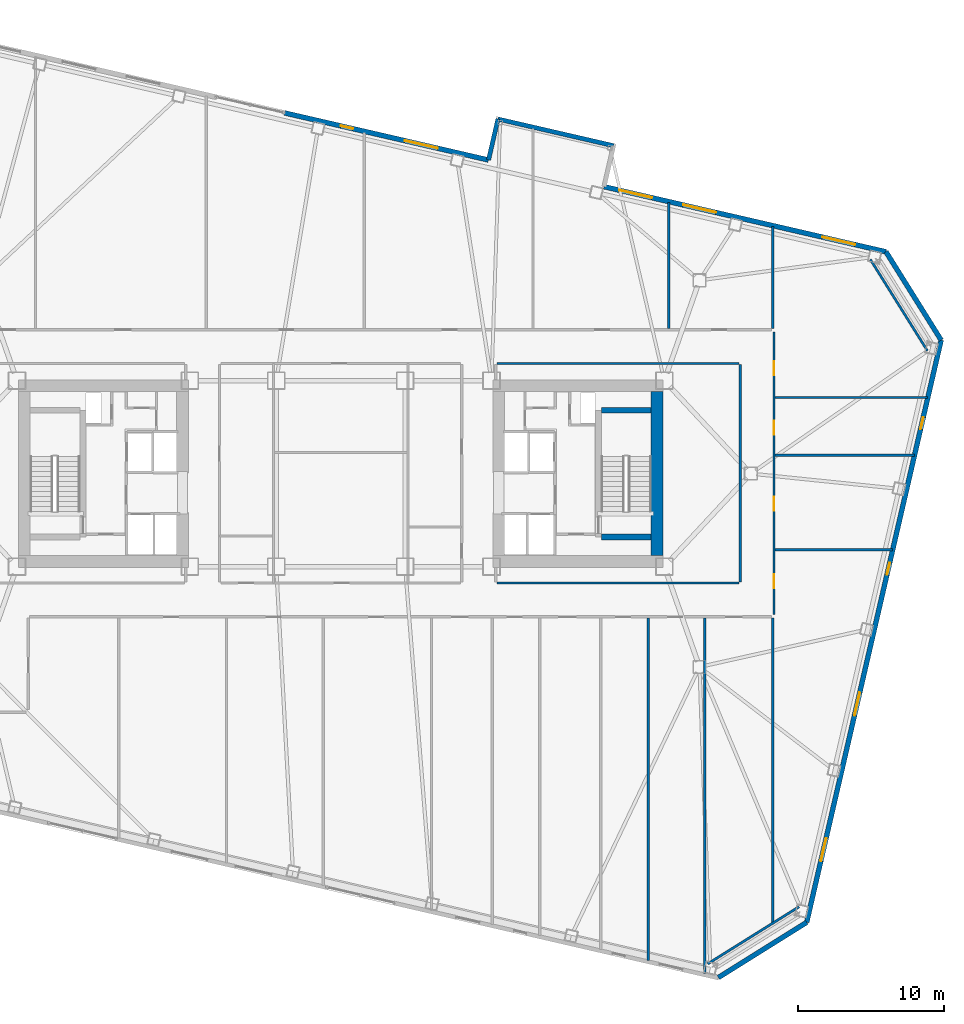
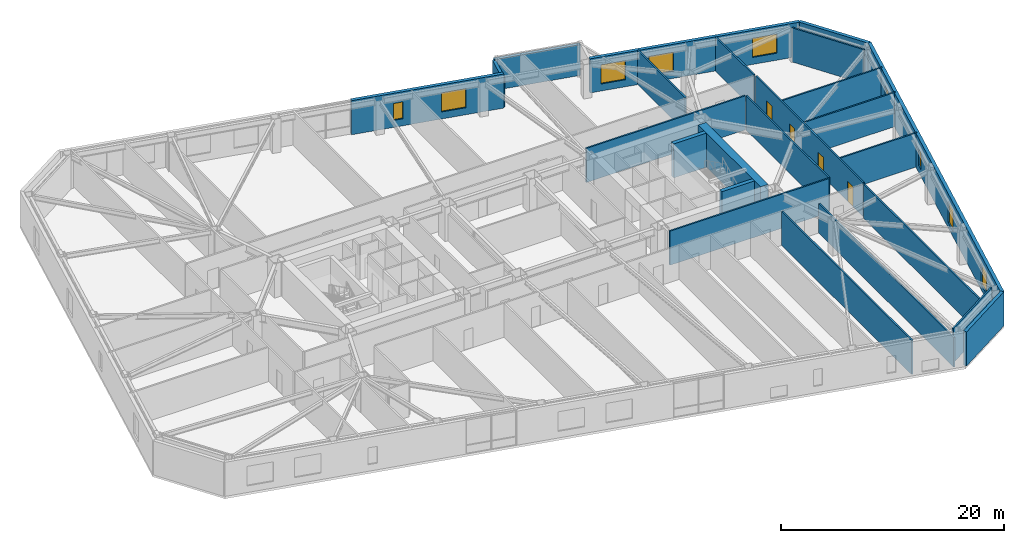
# One storey, part 15 of 21: 24 walls, 9 windows, 4 doors, 13 openings.
"""IFC4 building model written with IfcOpenShell, lengths in metres."""

from ifc_helpers import new_model, si_unit, direction, frame, frame_2d, origin, place, context, subcontext, project, spatial, rectangle, extrude, material, layer, layer_set, type_object, element, fill, save


model = new_model("IFC4")

# Units and contexts
model_context = context("Model", 3, precision=1e-05, world=origin(), true_north=direction((0.0, 1.0)))
body_context = subcontext(model_context, "Body", "Model", "MODEL_VIEW")
ifc_project = project(units=[si_unit("LENGTHUNIT", "METRE"), si_unit("AREAUNIT", "SQUARE_METRE"), si_unit("VOLUMEUNIT", "CUBIC_METRE"), si_unit("PLANEANGLEUNIT", "RADIAN"), si_unit("MASSUNIT", "GRAM", prefix="KILO")], contexts=[model_context])

# Site, building, storey
site_placement = place(None, origin())
site = spatial("IfcSite", under=ifc_project, at=site_placement, CompositionType="ELEMENT")
building_placement = place(site_placement, origin())
building = spatial("IfcBuilding", under=site, at=building_placement, Name="Tavrogorsk Clinical Tower", CompositionType="ELEMENT")
storey_placement = place(building_placement, frame((0.0, 0.0, 71.39990234375)))
storey = spatial("IfcBuildingStorey", under=building, at=storey_placement, Name="L15", CompositionType="ELEMENT", Elevation=71.39990234375)

# Walls
ifc_material_1 = material(Name="Lightweight concrete blockwork B15", Category="masonry")
ifc_layer_1 = layer(ifc_material_1, 0.159912109375)
ifc_layer_set_1 = layer_set([ifc_layer_1], Name="Lightweight concrete blockwork B15")
wall_type_1 = type_object("IfcWallType", Name="PartitionWall_160", PredefinedType="PARTITIONING", material=ifc_layer_set_1)
for number, where, z_axis, x_axis, name in (
    (1, (25.0595703125, -33.46826171875, 0.0), (0.0, 0.0, 1.0), (0.848043064089, 0.529927317139, 0.0), "L15 Corner Exoskeleton Brace Furring Wall 1"),
    (2, (40.059814453125, 8.389404296875, 0.0), (0.0, 0.0, 1.0), (-0.529927317139, 0.848043064089, 0.0), "L15 Corner Exoskeleton Brace Furring Wall 2"),
):
    element("IfcWall", number, at=place(storey_placement, frame(where, z_axis=z_axis, x_axis=x_axis)), inside=storey, type_object=wall_type_1, Name=name, PredefinedType="PARTITIONING", context=body_context, shape_type="SweptSolid", body=[
        extrude(rectangle(XDim=7.353759765625, YDim=0.159912109375, at=frame_2d((3.6767578125, 0.0))), origin(), (0.0, 0.0, 1.0), 3.739990234375),
    ])

# Wall, openings, doors
wall_1_placement = place(storey_placement, frame((29.580078125, 9.6650390625, 0.0), z_axis=(0.0, 0.0, 1.0), x_axis=(0.0, -1.0, 0.0)))
wall_1 = element("IfcWall", 3, at=wall_1_placement, inside=storey, type_object=wall_type_1, Name="L15 Corridor Partition 04", PredefinedType="PARTITIONING", context=body_context, shape_type="SweptSolid", body=[
    extrude(rectangle(XDim=19.280029296875, YDim=0.159912109375, at=frame_2d((9.64013671875, 0.0))), origin(), (0.0, 0.0, 1.0), 3.739990234375),
])
opening_1_placement = place(wall_1_placement, frame((16.531005859375, 0.0, 0.0)))
opening_1 = element("IfcOpeningElement", 4, at=opening_1_placement, cuts=wall_1, Name="Opening ID-02", PredefinedType="OPENING", context=body_context, shape_type="SweptSolid", body=[
    extrude(rectangle(XDim=0.949951171875, YDim=2.199951171875, at=frame_2d((0.47509765625, 1.10009765625))), frame((0.0, 0.08984375, 0.0), z_axis=(0.0, -1.0, 0.0), x_axis=(1.0, 0.0, 0.0)), (0.0, 0.0, 1.0), 0.179931640625),
])
opening_2_placement = place(wall_1_placement, frame((11.25, 0.0, 0.0)))
opening_2 = element("IfcOpeningElement", 5, at=opening_2_placement, cuts=wall_1, Name="Opening ID-02", PredefinedType="OPENING", context=body_context, shape_type="SweptSolid", body=[
    extrude(rectangle(XDim=0.949951171875, YDim=2.199951171875, at=frame_2d((0.47509765625, 1.10009765625))), frame((0.0, 0.08984375, 0.0), z_axis=(0.0, -1.0, 0.0), x_axis=(1.0, 0.0, 0.0)), (0.0, 0.0, 1.0), 0.179931640625),
])
opening_3_placement = place(wall_1_placement, frame((6.050048828125, 0.0, 0.0)))
opening_3 = element("IfcOpeningElement", 6, at=opening_3_placement, cuts=wall_1, Name="Opening ID-02", PredefinedType="OPENING", context=body_context, shape_type="SweptSolid", body=[
    extrude(rectangle(XDim=0.949951171875, YDim=2.199951171875, at=frame_2d((0.47509765625, 1.10009765625))), frame((0.0, 0.08984375, 0.0), z_axis=(0.0, -1.0, 0.0), x_axis=(1.0, 0.0, 0.0)), (0.0, 0.0, 1.0), 0.179931640625),
])
opening_4_placement = place(wall_1_placement, frame((1.994140625, 0.0, 0.0)))
opening_4 = element("IfcOpeningElement", 7, at=opening_4_placement, cuts=wall_1, Name="Opening ID-02", PredefinedType="OPENING", context=body_context, shape_type="SweptSolid", body=[
    extrude(rectangle(XDim=0.949951171875, YDim=2.199951171875, at=frame_2d((0.47509765625, 1.10009765625))), frame((0.0, 0.08984375, 0.0), z_axis=(0.0, -1.0, 0.0), x_axis=(1.0, 0.0, 0.0)), (0.0, 0.0, 1.0), 0.179931640625),
])
ifc_material_2 = material(Name="Laminated timber leaf on aluminium frame", Category="wood")
door_type = type_object("IfcDoorType", Name="InteriorDoor_ID02_950", OperationType="NOTDEFINED", PredefinedType="DOOR", material=ifc_material_2)
door_1_placement = place(opening_1_placement, origin())
door_1 = element("IfcDoor", 8, at=door_1_placement, inside=storey, type_object=door_type, Name="L15 E Senior Clinician Suite 1 Door", OperationType="SINGLE_SWING_LEFT", OverallHeight=2.199951171875, OverallWidth=0.949951171875, PredefinedType="DOOR", context=body_context, shape_type="SweptSolid", body=[
    extrude(rectangle(XDim=0.949951171875, YDim=2.199951171875, at=frame_2d((0.47509765625, 1.10009765625))), frame((0.0, 0.02490234375, 0.0), z_axis=(0.0, -1.0, 0.0), x_axis=(1.0, 0.0, 0.0)), (0.0, 0.0, 1.0), 0.050048828125),
])
fill(opening_1, door_1)
door_2_placement = place(opening_2_placement, origin())
door_2 = element("IfcDoor", 9, at=door_2_placement, inside=storey, type_object=door_type, Name="L15 E Multidisciplinary Seminar Suite 2 Door", OperationType="SINGLE_SWING_RIGHT", OverallHeight=2.199951171875, OverallWidth=0.949951171875, PredefinedType="DOOR", context=body_context, shape_type="SweptSolid", body=[
    extrude(rectangle(XDim=0.949951171875, YDim=2.199951171875, at=frame_2d((0.47509765625, 1.10009765625))), frame((0.0, 0.02490234375, 0.0), z_axis=(0.0, -1.0, 0.0), x_axis=(1.0, 0.0, 0.0)), (0.0, 0.0, 1.0), 0.050048828125),
])
fill(opening_2, door_2)
door_3_placement = place(opening_3_placement, origin())
door_3 = element("IfcDoor", 10, at=door_3_placement, inside=storey, type_object=door_type, Name="L15 E Specialist Consultation Room 3 Door", OperationType="SINGLE_SWING_LEFT", OverallHeight=2.199951171875, OverallWidth=0.949951171875, PredefinedType="DOOR", context=body_context, shape_type="SweptSolid", body=[
    extrude(rectangle(XDim=0.949951171875, YDim=2.199951171875, at=frame_2d((0.47509765625, 1.10009765625))), frame((0.0, 0.02490234375, 0.0), z_axis=(0.0, -1.0, 0.0), x_axis=(1.0, 0.0, 0.0)), (0.0, 0.0, 1.0), 0.050048828125),
])
fill(opening_3, door_3)
door_4_placement = place(opening_4_placement, origin())
door_4 = element("IfcDoor", 11, at=door_4_placement, inside=storey, type_object=door_type, Name="L15 E Clinical Fellows' Study 4 Door", OperationType="SINGLE_SWING_RIGHT", OverallHeight=2.199951171875, OverallWidth=0.949951171875, PredefinedType="DOOR", context=body_context, shape_type="SweptSolid", body=[
    extrude(rectangle(XDim=0.949951171875, YDim=2.199951171875, at=frame_2d((0.47509765625, 1.10009765625))), frame((0.0, 0.02490234375, 0.0), z_axis=(0.0, -1.0, 0.0), x_axis=(1.0, 0.0, 0.0)), (0.0, 0.0, 1.0), 0.050048828125),
])
fill(opening_4, door_4)

# Walls
for number, where, z_axis, x_axis, name in (
    (12, (27.18505859375, 7.52001953125, 0.0), (0.0, 0.0, 1.0), (-1.0, 0.0, 0.0), "L15 Corridor Partition 09"),
    (13, (10.6650390625, -7.469970703125, 0.0), (0.0, 0.0, 1.0), (1.0, 0.0, 0.0), "L15 Corridor Partition 12"),
):
    element("IfcWall", number, at=place(storey_placement, frame(where, z_axis=z_axis, x_axis=x_axis)), inside=storey, type_object=wall_type_1, Name=name, PredefinedType="PARTITIONING", context=body_context, shape_type="SweptSolid", body=[
        extrude(rectangle(XDim=16.52001953125, YDim=0.159912109375, at=frame_2d((8.260009765625, 0.0))), origin(), (0.0, 0.0, 1.0), 3.739990234375),
    ])
wall_2_placement = place(storey_placement, frame((27.27001953125, -7.385009765625, 0.0), z_axis=(0.0, 0.0, 1.0), x_axis=(0.0, 1.0, 0.0)))
element("IfcWall", 14, at=wall_2_placement, inside=storey, type_object=wall_type_1, Name="L15 Corridor Partition 13", PredefinedType="PARTITIONING", context=body_context, shape_type="SweptSolid", body=[
    extrude(rectangle(XDim=14.820068359375, YDim=0.159912109375, at=frame_2d((7.41015625, 0.0))), origin(), (0.0, 0.0, 1.0), 3.739990234375),
])
wall_3_placement = place(storey_placement, frame((29.5, 9.9150390625, 0.0), z_axis=(0.0, 0.0, 1.0), x_axis=(0.0, 1.0, 0.0)))
element("IfcWall", 15, at=wall_3_placement, inside=storey, type_object=wall_type_1, Name="L15 NE Wing Closure Partition", PredefinedType="PARTITIONING", context=body_context, shape_type="SweptSolid", body=[
    extrude(rectangle(XDim=6.947265625, YDim=0.159912109375, at=frame_2d((3.4736328125, 0.0))), origin(), (0.0, 0.0, 1.0), 3.739990234375),
])
wall_4_placement = place(storey_placement, frame((29.5, -30.702880859375, 0.0), z_axis=(0.0, 0.0, 1.0), x_axis=(0.0, 1.0, 0.0)))
element("IfcWall", 16, at=wall_4_placement, inside=storey, type_object=wall_type_1, Name="L15 SE Wing Closure Partition", PredefinedType="PARTITIONING", context=body_context, shape_type="SweptSolid", body=[
    extrude(rectangle(XDim=20.837890625, YDim=0.159912109375, at=frame_2d((10.4189453125, 0.0))), origin(), (0.0, 0.0, 1.0), 3.739990234375),
])
wall_5_placement = place(storey_placement, frame((22.39990234375, 9.9150390625, 0.0), z_axis=(0.0, 0.0, 1.0), x_axis=(0.0, 1.0, 0.0)))
element("IfcWall", 17, at=wall_5_placement, inside=storey, type_object=wall_type_1, Name="L15 North Room Partition 3", PredefinedType="PARTITIONING", context=body_context, shape_type="SweptSolid", body=[
    extrude(rectangle(XDim=8.58642578125, YDim=0.159912109375, at=frame_2d((4.293212890625, 0.0))), origin(), (0.0, 0.0, 1.0), 3.739990234375),
])
wall_6_placement = place(storey_placement, frame((21.0, -33.2294921875, 0.0), z_axis=(0.0, 0.0, 1.0), x_axis=(0.0, 1.0, 0.0)))
element("IfcWall", 18, at=wall_6_placement, inside=storey, type_object=wall_type_1, Name="L15 South Room Partition 7", PredefinedType="PARTITIONING", context=body_context, shape_type="SweptSolid", body=[
    extrude(rectangle(XDim=23.364501953125, YDim=0.159912109375, at=frame_2d((11.68212890625, 0.0))), origin(), (0.0, 0.0, 1.0), 3.739990234375),
])
wall_7_placement = place(storey_placement, frame((24.85009765625, -34.1181640625, 0.0), z_axis=(0.0, 0.0, 1.0), x_axis=(0.0, 1.0, 0.0)))
element("IfcWall", 19, at=wall_7_placement, inside=storey, type_object=wall_type_1, Name="L15 South Room Partition 8", PredefinedType="PARTITIONING", context=body_context, shape_type="SweptSolid", body=[
    extrude(rectangle(XDim=24.253173828125, YDim=0.159912109375, at=frame_2d((12.12646484375, 0.0))), origin(), (0.0, 0.0, 1.0), 3.235107421875),
])
wall_8_placement = place(storey_placement, frame((29.6650390625, -5.199951171875, 0.0), z_axis=(0.0, 0.0, 1.0), x_axis=(1.0, 0.0, 0.0)))
element("IfcWall", 20, at=wall_8_placement, inside=storey, type_object=wall_type_1, Name="L15 E Wing Divider 1", PredefinedType="PARTITIONING", context=body_context, shape_type="SweptSolid", body=[
    extrude(rectangle(XDim=8.007080078125, YDim=0.159912109375, at=frame_2d((4.00341796875, 0.0))), origin(), (0.0, 0.0, 1.0), 3.739990234375),
])
wall_9_placement = place(storey_placement, frame((29.6650390625, 1.25, 0.0), z_axis=(0.0, 0.0, 1.0), x_axis=(1.0, 0.0, 0.0)))
element("IfcWall", 21, at=wall_9_placement, inside=storey, type_object=wall_type_1, Name="L15 E Wing Divider 2", PredefinedType="PARTITIONING", context=body_context, shape_type="SweptSolid", body=[
    extrude(rectangle(XDim=9.496337890625, YDim=0.159912109375, at=frame_2d((4.748046875, 0.0))), origin(), (0.0, 0.0, 1.0), 3.739990234375),
])
wall_10_placement = place(storey_placement, frame((29.6650390625, 5.199951171875, 0.0), z_axis=(0.0, 0.0, 1.0), x_axis=(1.0, 0.0, 0.0)))
element("IfcWall", 22, at=wall_10_placement, inside=storey, type_object=wall_type_1, Name="L15 E Wing Divider 3", PredefinedType="PARTITIONING", context=body_context, shape_type="SweptSolid", body=[
    extrude(rectangle(XDim=10.408203125, YDim=0.159912109375, at=frame_2d((5.2041015625, 0.0))), origin(), (0.0, 0.0, 1.0), 3.739990234375),
])

# Wall, openings, windows
ifc_material_3 = material(Name="Precast concrete B45 with limestone cladding", Category="masonry")
ifc_layer_2 = layer(ifc_material_3, 0.340087890625)
ifc_layer_set_2 = layer_set([ifc_layer_2], Name="Precast concrete B45 with limestone cladding")
wall_type_2 = type_object("IfcWallType", Name="PrecastLimestoneWall_340", PredefinedType="STANDARD", material=ifc_layer_set_2)
wall_11_placement = place(storey_placement, frame((37.228515625, 15.14990234375, 0.0), z_axis=(0.0, 0.0, 1.0), x_axis=(-0.974368689865, 0.224957009695, 0.0)))
wall_11 = element("IfcWall", 23, at=wall_11_placement, inside=storey, type_object=wall_type_2, Name="L15 N Limestone Facade Wall 1", PredefinedType="STANDARD", context=body_context, shape_type="SweptSolid", body=[
    extrude(rectangle(XDim=19.749755859375, YDim=0.340087890625, at=frame_2d((9.875, 0.0))), origin(), (0.0, 0.0, 1.0), 3.739990234375),
])
opening_5_placement = place(wall_11_placement, frame((16.39501953125, 0.0, 0.77001953125)))
opening_5 = element("IfcOpeningElement", 24, at=opening_5_placement, cuts=wall_11, Name="Opening WN-12", PredefinedType="OPENING", context=body_context, shape_type="SweptSolid", body=[
    extrude(rectangle(XDim=2.300048828125, YDim=2.10009765625, at=frame_2d((1.14990234375, 1.050048828125))), frame((0.0, 0.179931640625, 0.0), z_axis=(0.0, -1.0, 0.0), x_axis=(1.0, 0.0, 0.0)), (0.0, 0.0, 1.0), 0.360107421875),
])
opening_6_placement = place(wall_11_placement, frame((11.91064453125, 0.0, 0.77001953125)))
opening_6 = element("IfcOpeningElement", 25, at=opening_6_placement, cuts=wall_11, Name="Opening WN-12", PredefinedType="OPENING", context=body_context, shape_type="SweptSolid", body=[
    extrude(rectangle(XDim=2.300048828125, YDim=2.10009765625, at=frame_2d((1.14990234375, 1.050048828125))), frame((0.0, 0.179931640625, 0.0), z_axis=(0.0, -1.0, 0.0), x_axis=(1.0, 0.0, 0.0)), (0.0, 0.0, 1.0), 0.360107421875),
])
opening_7_placement = place(wall_11_placement, frame((2.162109375, 0.0, 0.77001953125)))
opening_7 = element("IfcOpeningElement", 26, at=opening_7_placement, cuts=wall_11, Name="Opening WN-12", PredefinedType="OPENING", context=body_context, shape_type="SweptSolid", body=[
    extrude(rectangle(XDim=2.300048828125, YDim=2.10009765625, at=frame_2d((1.14990234375, 1.050048828125))), frame((0.0, 0.179931640625, 0.0), z_axis=(0.0, -1.0, 0.0), x_axis=(1.0, 0.0, 0.0)), (0.0, 0.0, 1.0), 0.360107421875),
])
ifc_material_4 = material(Name="Thermally broken aluminium frame and triple IGU", Category="aluminium")
window_type_1 = type_object("IfcWindowType", Name="RecoveryWin_2300x2100", PartitioningType="DOUBLE_PANEL_VERTICAL", PredefinedType="WINDOW", material=ifc_material_4)
window_1_placement = place(opening_5_placement, origin())
window_1 = element("IfcWindow", 27, at=window_1_placement, inside=storey, type_object=window_type_1, Name="L15 N Chicago Window 07", OverallHeight=2.10009765625, OverallWidth=2.300048828125, PartitioningType="SINGLE_PANEL", PredefinedType="WINDOW", context=body_context, shape_type="SweptSolid", body=[
    extrude(rectangle(XDim=2.300048828125, YDim=2.10009765625, at=frame_2d((1.14990234375, 1.050048828125))), frame((0.0, 0.030029296875, 0.0), z_axis=(0.0, -1.0, 0.0), x_axis=(1.0, 0.0, 0.0)), (0.0, 0.0, 1.0), 0.06005859375),
])
fill(opening_5, window_1)
window_2_placement = place(opening_6_placement, origin())
window_2 = element("IfcWindow", 28, at=window_2_placement, inside=storey, type_object=window_type_1, Name="L15 N Chicago Window 08", OverallHeight=2.10009765625, OverallWidth=2.300048828125, PartitioningType="SINGLE_PANEL", PredefinedType="WINDOW", context=body_context, shape_type="SweptSolid", body=[
    extrude(rectangle(XDim=2.300048828125, YDim=2.10009765625, at=frame_2d((1.14990234375, 1.050048828125))), frame((0.0, 0.030029296875, 0.0), z_axis=(0.0, -1.0, 0.0), x_axis=(1.0, 0.0, 0.0)), (0.0, 0.0, 1.0), 0.06005859375),
])
fill(opening_6, window_2)
window_3_placement = place(opening_7_placement, origin())
window_3 = element("IfcWindow", 29, at=window_3_placement, inside=storey, type_object=window_type_1, Name="L15 N Chicago Window 10", OverallHeight=2.10009765625, OverallWidth=2.300048828125, PartitioningType="SINGLE_PANEL", PredefinedType="WINDOW", context=body_context, shape_type="SweptSolid", body=[
    extrude(rectangle(XDim=2.300048828125, YDim=2.10009765625, at=frame_2d((1.14990234375, 1.050048828125))), frame((0.0, 0.030029296875, 0.0), z_axis=(0.0, -1.0, 0.0), x_axis=(1.0, 0.0, 0.0)), (0.0, 0.0, 1.0), 0.06005859375),
])
fill(opening_7, window_3)

wall_12_placement = place(storey_placement, frame((10.09228515625, 21.414794921875, 0.0), z_axis=(0.0, 0.0, 1.0), x_axis=(-0.97436816851, 0.224959267855, 0.0)))
wall_12 = element("IfcWall", 30, at=wall_12_placement, inside=storey, type_object=wall_type_2, Name="L15 N Limestone Facade Wall 2", PredefinedType="STANDARD", context=body_context, shape_type="SweptSolid", body=[
    extrude(rectangle(XDim=14.29833984375, YDim=0.340087890625, at=frame_2d((7.149169921875, 0.0))), origin(), (0.0, 0.0, 1.0), 3.739990234375),
])
opening_8_placement = place(wall_12_placement, frame((9.4921875, 0.0, 0.77001953125)))
opening_8 = element("IfcOpeningElement", 31, at=opening_8_placement, cuts=wall_12, Name="Opening WN-06", PredefinedType="OPENING", context=body_context, shape_type="SweptSolid", body=[
    extrude(rectangle(XDim=0.85009765625, YDim=1.85009765625, at=frame_2d((0.425048828125, 0.925048828125))), frame((0.0, 0.179931640625, 0.0), z_axis=(0.0, -1.0, 0.0), x_axis=(1.0, 0.0, 0.0)), (0.0, 0.0, 1.0), 0.360107421875),
])
opening_9_placement = place(wall_12_placement, frame((3.557861328125, 0.0, 0.77001953125)))
opening_9 = element("IfcOpeningElement", 32, at=opening_9_placement, cuts=wall_12, Name="Opening WN-12", PredefinedType="OPENING", context=body_context, shape_type="SweptSolid", body=[
    extrude(rectangle(XDim=2.300048828125, YDim=2.10009765625, at=frame_2d((1.14990234375, 1.050048828125))), frame((0.0, 0.179931640625, 0.0), z_axis=(0.0, -1.0, 0.0), x_axis=(1.0, 0.0, 0.0)), (0.0, 0.0, 1.0), 0.360107421875),
])
ifc_material_5 = material(Name="Thermally broken aluminium frame and triple IGU", Category="aluminium")
window_type_2 = type_object("IfcWindowType", Name="MullionSubWin_850x1850", PartitioningType="SINGLE_PANEL", PredefinedType="WINDOW", material=ifc_material_5)
window_4_placement = place(opening_8_placement, origin())
window_4 = element("IfcWindow", 33, at=window_4_placement, inside=storey, type_object=window_type_2, Name="L15 N Mullion Split Window 05B", OverallHeight=1.85009765625, OverallWidth=0.85009765625, PartitioningType="SINGLE_PANEL", PredefinedType="WINDOW", context=body_context, shape_type="SweptSolid", body=[
    extrude(rectangle(XDim=0.85009765625, YDim=1.85009765625, at=frame_2d((0.425048828125, 0.925048828125))), frame((0.0, 0.030029296875, 0.0), z_axis=(0.0, -1.0, 0.0), x_axis=(1.0, 0.0, 0.0)), (0.0, 0.0, 1.0), 0.06005859375),
])
fill(opening_8, window_4)
window_5_placement = place(opening_9_placement, origin())
window_5 = element("IfcWindow", 34, at=window_5_placement, inside=storey, type_object=window_type_1, Name="L15 N Chicago Window 06", OverallHeight=2.10009765625, OverallWidth=2.300048828125, PartitioningType="SINGLE_PANEL", PredefinedType="WINDOW", context=body_context, shape_type="SweptSolid", body=[
    extrude(rectangle(XDim=2.300048828125, YDim=2.10009765625, at=frame_2d((1.14990234375, 1.050048828125))), frame((0.0, 0.030029296875, 0.0), z_axis=(0.0, -1.0, 0.0), x_axis=(1.0, 0.0, 0.0)), (0.0, 0.0, 1.0), 0.06005859375),
])
fill(opening_9, window_5)

wall_13_placement = place(storey_placement, frame((31.820068359375, -30.636962890625, 0.0), z_axis=(0.0, 0.0, 1.0), x_axis=(0.224949969076, 0.974370315338, 0.0)))
wall_13 = element("IfcWall", 35, at=wall_13_placement, inside=storey, type_object=wall_type_2, Name="L15 E Pleated Limestone Wing Wall", PredefinedType="STANDARD", context=body_context, shape_type="SweptSolid", body=[
    extrude(rectangle(XDim=40.800048828125, YDim=0.340087890625, at=frame_2d((20.39990234375, 0.0))), origin(), (0.0, 0.0, 1.0), 3.739990234375),
])
opening_10_placement = place(wall_13_placement, frame((4.300048828125, 0.0, 0.580078125)))
opening_10 = element("IfcOpeningElement", 36, at=opening_10_placement, cuts=wall_13, Name="Opening WN-07", PredefinedType="OPENING", context=body_context, shape_type="SweptSolid", body=[
    extrude(rectangle(XDim=1.60009765625, YDim=2.300048828125, at=frame_2d((0.800048828125, 1.14990234375))), frame((0.0, 0.179931640625, 0.0), z_axis=(0.0, -1.0, 0.0), x_axis=(1.0, 0.0, 0.0)), (0.0, 0.0, 1.0), 0.360107421875),
])
opening_11_placement = place(wall_13_placement, frame((14.5, 0.0, 0.580078125)))
opening_11 = element("IfcOpeningElement", 37, at=opening_11_placement, cuts=wall_13, Name="Opening WN-07", PredefinedType="OPENING", context=body_context, shape_type="SweptSolid", body=[
    extrude(rectangle(XDim=1.60009765625, YDim=2.300048828125, at=frame_2d((0.800048828125, 1.14990234375))), frame((0.0, 0.179931640625, 0.0), z_axis=(0.0, -1.0, 0.0), x_axis=(1.0, 0.0, 0.0)), (0.0, 0.0, 1.0), 0.360107421875),
])
opening_12_placement = place(wall_13_placement, frame((24.35009765625, 0.0, 0.75)))
opening_12 = element("IfcOpeningElement", 38, at=opening_12_placement, cuts=wall_13, Name="Opening WN-06", PredefinedType="OPENING", context=body_context, shape_type="SweptSolid", body=[
    extrude(rectangle(XDim=0.85009765625, YDim=1.85009765625, at=frame_2d((0.425048828125, 0.925048828125))), frame((0.0, 0.179931640625, 0.0), z_axis=(0.0, -1.0, 0.0), x_axis=(1.0, 0.0, 0.0)), (0.0, 0.0, 1.0), 0.360107421875),
])
opening_13_placement = place(wall_13_placement, frame((34.550048828125, 0.0, 0.75)))
opening_13 = element("IfcOpeningElement", 39, at=opening_13_placement, cuts=wall_13, Name="Opening WN-06", PredefinedType="OPENING", context=body_context, shape_type="SweptSolid", body=[
    extrude(rectangle(XDim=0.85009765625, YDim=1.85009765625, at=frame_2d((0.425048828125, 0.925048828125))), frame((0.0, 0.179931640625, 0.0), z_axis=(0.0, -1.0, 0.0), x_axis=(1.0, 0.0, 0.0)), (0.0, 0.0, 1.0), 0.360107421875),
])
window_6_placement = place(opening_12_placement, origin())
window_6 = element("IfcWindow", 40, at=window_6_placement, inside=storey, type_object=window_type_2, Name="L15 E Pleat Mullion Window 3A", OverallHeight=1.85009765625, OverallWidth=0.85009765625, PartitioningType="SINGLE_PANEL", PredefinedType="WINDOW", context=body_context, shape_type="SweptSolid", body=[
    extrude(rectangle(XDim=0.85009765625, YDim=1.85009765625, at=frame_2d((0.425048828125, 0.925048828125))), frame((0.0, 0.030029296875, 0.0), z_axis=(0.0, -1.0, 0.0), x_axis=(1.0, 0.0, 0.0)), (0.0, 0.0, 1.0), 0.06005859375),
])
fill(opening_12, window_6)
window_7_placement = place(opening_13_placement, origin())
window_7 = element("IfcWindow", 41, at=window_7_placement, inside=storey, type_object=window_type_2, Name="L15 E Pleat Mullion Window 4A", OverallHeight=1.85009765625, OverallWidth=0.85009765625, PartitioningType="SINGLE_PANEL", PredefinedType="WINDOW", context=body_context, shape_type="SweptSolid", body=[
    extrude(rectangle(XDim=0.85009765625, YDim=1.85009765625, at=frame_2d((0.425048828125, 0.925048828125))), frame((0.0, 0.030029296875, 0.0), z_axis=(0.0, -1.0, 0.0), x_axis=(1.0, 0.0, 0.0)), (0.0, 0.0, 1.0), 0.06005859375),
])
fill(opening_13, window_7)
ifc_material_6 = material(Name="Thermally broken aluminium frame and triple IGU", Category="aluminium")
window_type_3 = type_object("IfcWindowType", Name="PleatSlotWin_1600x2300", PartitioningType="SINGLE_PANEL", PredefinedType="WINDOW", material=ifc_material_6)
window_8_placement = place(opening_10_placement, origin())
window_8 = element("IfcWindow", 42, at=window_8_placement, inside=storey, type_object=window_type_3, Name="L15 E Pleat Slot Window 1", OverallHeight=2.300048828125, OverallWidth=1.60009765625, PartitioningType="SINGLE_PANEL", PredefinedType="WINDOW", context=body_context, shape_type="SweptSolid", body=[
    extrude(rectangle(XDim=1.60009765625, YDim=2.300048828125, at=frame_2d((0.800048828125, 1.14990234375))), frame((0.0, 0.030029296875, 0.0), z_axis=(0.0, -1.0, 0.0), x_axis=(1.0, 0.0, 0.0)), (0.0, 0.0, 1.0), 0.06005859375),
])
fill(opening_10, window_8)
window_9_placement = place(opening_11_placement, origin())
window_9 = element("IfcWindow", 43, at=window_9_placement, inside=storey, type_object=window_type_3, Name="L15 E Pleat Slot Window 2", OverallHeight=2.300048828125, OverallWidth=1.60009765625, PartitioningType="SINGLE_PANEL", PredefinedType="WINDOW", context=body_context, shape_type="SweptSolid", body=[
    extrude(rectangle(XDim=1.60009765625, YDim=2.300048828125, at=frame_2d((0.800048828125, 1.14990234375))), frame((0.0, 0.030029296875, 0.0), z_axis=(0.0, -1.0, 0.0), x_axis=(1.0, 0.0, 0.0)), (0.0, 0.0, 1.0), 0.06005859375),
])
fill(opening_11, window_9)

# Walls
for number, where, z_axis, x_axis, name in (
    (44, (25.78759765625, -34.406494140625, 0.0), (0.0, 0.0, 1.0), (0.848046504656, 0.529921811158, 0.0), "L15 Chamfered Corner Wall 1"),
    (45, (40.998046875, 9.117431640625, 0.0), (0.0, 0.0, 1.0), (-0.529921811158, 0.848046504656, 0.0), "L15 Chamfered Corner Wall 2"),
):
    element("IfcWall", number, at=place(storey_placement, frame(where, z_axis=z_axis, x_axis=x_axis)), inside=storey, type_object=wall_type_2, Name=name, PredefinedType="STANDARD", context=body_context, shape_type="SweptSolid", body=[
        extrude(rectangle(XDim=7.11328125, YDim=0.340087890625, at=frame_2d((3.556640625, 0.0))), origin(), (0.0, 0.0, 1.0), 3.739990234375),
    ])
wall_14_placement = place(storey_placement, frame((10.738037109375, 24.211181640625, 0.0), z_axis=(0.0, 0.0, 1.0), x_axis=(0.974371888243, -0.224943155936, 0.0)))
element("IfcWall", 46, at=wall_14_placement, inside=storey, type_object=wall_type_2, Name="L15 Day-Room Limestone Front DRB-02", PredefinedType="STANDARD", context=body_context, shape_type="SweptSolid", body=[
    extrude(rectangle(XDim=8.099853515625, YDim=0.300048828125, at=frame_2d((4.0498046875, 0.0))), origin(), (0.0, 0.0, 1.0), 3.385009765625),
])
ifc_material_7 = material(Name="Concrete B80", Category="concrete")
ifc_layer_3 = layer(ifc_material_7, 0.39990234375)
ifc_layer_set_3 = layer_set([ifc_layer_3], Name="Concrete B80")
wall_type_3 = type_object("IfcWallType", Name="ShearWall_400", PredefinedType="SHEAR", material=ifc_layer_set_3)
for number, where, z_axis, x_axis, name in (
    (47, (17.800048828125, -4.324951171875, 0.0), (0.0, 0.0, 1.0), (1.0, 0.0, 0.0), "L15 Core East Stair Shaft South Shear Wall"),
    (48, (17.800048828125, 4.324951171875, 0.0), (0.0, 0.0, 1.0), (1.0, 0.0, 0.0), "L15 Core East Stair Shaft North Shear Wall"),
):
    element("IfcWall", number, at=place(storey_placement, frame(where, z_axis=z_axis, x_axis=x_axis)), inside=storey, type_object=wall_type_3, Name=name, PredefinedType="SHEAR", context=body_context, shape_type="SweptSolid", body=[
        extrude(rectangle(XDim=3.39990234375, YDim=0.39990234375, at=frame_2d((1.699951171875, 0.0))), origin(), (0.0, 0.0, 1.0), 3.739990234375),
    ])
ifc_material_8 = material(Name="Concrete B80", Category="concrete")
ifc_layer_4 = layer(ifc_material_8, 0.800048828125)
ifc_layer_set_4 = layer_set([ifc_layer_4], Name="Concrete B80")
wall_type_4 = type_object("IfcWallType", Name="ShearWall_800", PredefinedType="SHEAR", material=ifc_layer_set_4)
wall_15_placement = place(storey_placement, frame((21.60009765625, -5.60009765625, 0.0), z_axis=(0.0, 0.0, 1.0), x_axis=(0.0, 1.0, 0.0)))
element("IfcWall", 49, at=wall_15_placement, inside=storey, type_object=wall_type_4, Name="L15 Core East End Shear Wall", PredefinedType="SHEAR", context=body_context, shape_type="SweptSolid", body=[
    extrude(rectangle(XDim=11.2001953125, YDim=0.800048828125, at=frame_2d((5.60009765625, 0.0))), origin(), (0.0, 0.0, 1.0), 3.739990234375),
])
ifc_material_9 = material(Name="Precast concrete B45 with mineral wool", Category="concrete")
ifc_layer_5 = layer(ifc_material_9, 0.300048828125)
ifc_layer_set_5 = layer_set([ifc_layer_5], Name="Precast concrete B45 with mineral wool")
wall_type_5 = type_object("IfcWallType", Name="SpandrelBackWall_300", PredefinedType="STANDARD", material=ifc_layer_set_5)
wall_16_placement = place(storey_placement, frame((10.09228515625, 21.414794921875, 0.0), z_axis=(0.0, 0.0, 1.0), x_axis=(0.225002397841, 0.97435820978, 0.0)))
element("IfcWall", 50, at=wall_16_placement, inside=storey, type_object=wall_type_5, Name="L15 Day-Room Cheek Wall DRB-02-L", PredefinedType="STANDARD", context=body_context, shape_type="SweptSolid", body=[
    extrude(rectangle(XDim=2.869873046875, YDim=0.300048828125, at=frame_2d((1.43505859375, 0.0))), origin(), (0.0, 0.0, 1.0), 3.28515625),
])

save(model, "model.ifc")
